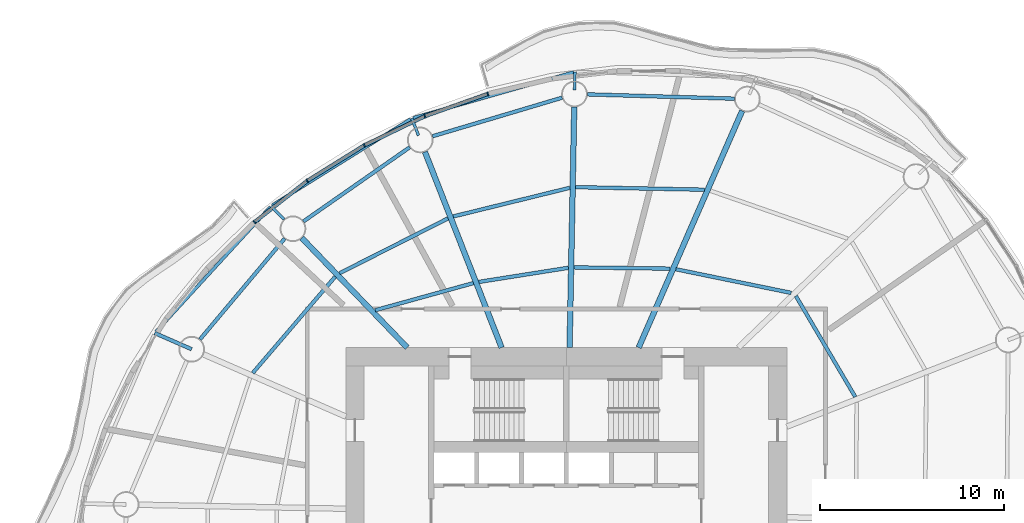
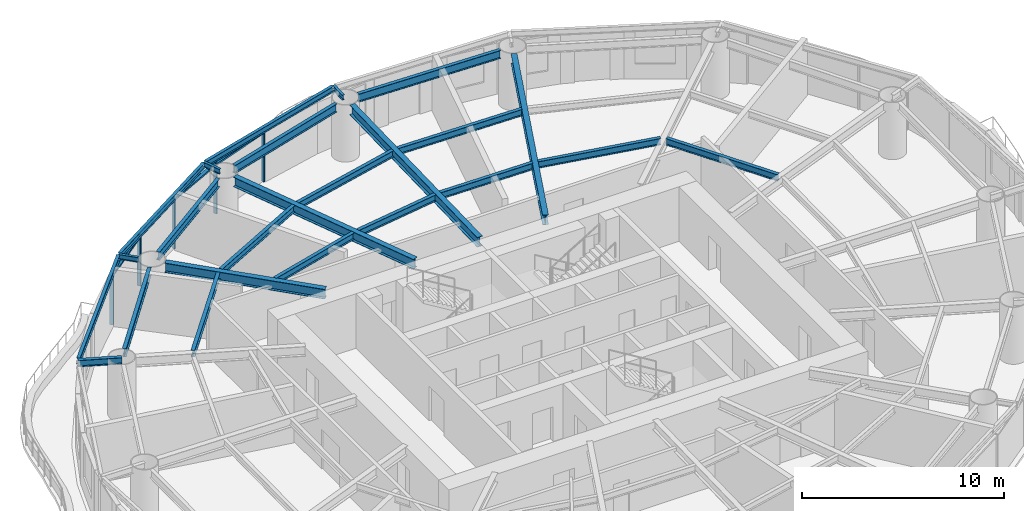
# One storey, part 5 of 14: 24 beams, 9 members, 4 elements without a shape of their own.
"""IFC4 building model written with IfcOpenShell, lengths in metres."""

from ifc_helpers import new_model, si_unit, direction, frame, origin, origin_2d, place, context, subcontext, project, spatial, rectangle, i_section, extrude, material, material_profile, profile_set, type_object, element, aggregate, save


model = new_model("IFC4")

# Units and contexts
model_context = context("Model", 3, precision=1e-05, world=origin(), true_north=direction((0.0, 1.0)))
body_context = subcontext(model_context, "Body", "Model", "MODEL_VIEW")
ifc_project = project(units=[si_unit("LENGTHUNIT", "METRE"), si_unit("AREAUNIT", "SQUARE_METRE"), si_unit("VOLUMEUNIT", "CUBIC_METRE"), si_unit("PLANEANGLEUNIT", "RADIAN"), si_unit("MASSUNIT", "GRAM", prefix="KILO")], contexts=[model_context])

# Site, building, storey
site_placement = place(None, origin())
site = spatial("IfcSite", under=ifc_project, at=site_placement, CompositionType="ELEMENT")
building_placement = place(site_placement, origin())
building = spatial("IfcBuilding", under=site, at=building_placement, Name="Vermilion Reach Broadcast Tower", CompositionType="ELEMENT")
storey_placement = place(building_placement, frame((0.0, 0.0, 150.60009765625)))
storey = spatial("IfcBuildingStorey", under=building, at=storey_placement, Name="L35", CompositionType="ELEMENT", Elevation=150.60009765625)

# Beams
ifc_material_1 = material(Name="Steel S355J2", Category="steel")
ifc_material_profile_1 = material_profile(ifc_material_1, i_section(OverallWidth=0.175048828125, OverallDepth=0.35009765625, WebThickness=0.007080078125, FlangeThickness=0.010986328125, at=origin_2d()), Name="S355J2 HN 350x175x7x11")
ifc_profile_set_1 = profile_set([ifc_material_profile_1], Name="Steel S355J2")
beam_type_1 = type_object("IfcBeamType", Name="EB3 HN 350x175x7x11", PredefinedType="BEAM", material=ifc_profile_set_1)
beam_1_placement = place(storey_placement, frame((-5.6103515625, 23.985107421875, 3.27490234375), z_axis=(-0.961566566412, -0.274571918373, 0.0), x_axis=(0.274571918373, -0.961566566412, 0.0)))
element("IfcBeam", 1, at=beam_1_placement, inside=storey, type_object=beam_type_1, Name="Edge beam EB3-03", PredefinedType="BEAM", context=body_context, shape_type="SweptSolid", body=[
    extrude(i_section(OverallWidth=0.175048828125, OverallDepth=0.35009765625, WebThickness=0.007080078125, FlangeThickness=0.010986328125, at=origin_2d()), origin(), (0.0, 0.0, 1.0), 9.07666015625),
])
beam_2_placement = place(storey_placement, frame((-14.475341796875, 21.431884765625, 3.27490234375), z_axis=(-0.848721358221, -0.528840293566, 0.0), x_axis=(0.528840293566, -0.848721358221, 0.0)))
element("IfcBeam", 2, at=beam_2_placement, inside=storey, type_object=beam_type_1, Name="Edge beam EB3-04", PredefinedType="BEAM", context=body_context, shape_type="SweptSolid", body=[
    extrude(i_section(OverallWidth=0.175048828125, OverallDepth=0.35009765625, WebThickness=0.007080078125, FlangeThickness=0.010986328125, at=origin_2d()), origin(), (0.0, 0.0, 1.0), 8.867919921875),
])
beam_3_placement = place(storey_placement, frame((-22.11767578125, 16.646240234375, 3.27490234375), z_axis=(-0.675544210336, -0.737319482912, 0.0), x_axis=(0.737319482912, -0.675544210336, 0.0)))
element("IfcBeam", 3, at=beam_3_placement, inside=storey, type_object=beam_type_1, Name="Edge beam EB3-05", PredefinedType="BEAM", context=body_context, shape_type="SweptSolid", body=[
    extrude(i_section(OverallWidth=0.175048828125, OverallDepth=0.35009765625, WebThickness=0.007080078125, FlangeThickness=0.010986328125, at=origin_2d()), origin(), (0.0, 0.0, 1.0), 9.192626953125),
])
ifc_material_2 = material(Name="Steel S355J2", Category="steel")
ifc_material_profile_2 = material_profile(ifc_material_2, i_section(OverallWidth=0.300048828125, OverallDepth=0.587890625, WebThickness=0.011962890625, FlangeThickness=0.02001953125, at=origin_2d()), Name="S355J2 HM 588x300x12x20")
ifc_profile_set_2 = profile_set([ifc_material_profile_2], Name="Steel S355J2")
beam_type_2 = type_object("IfcBeamType", Name="G3 HM 588x300x12x20", PredefinedType="BEAM", material=ifc_profile_set_2)
beam_4_placement = place(storey_placement, frame((-2.066162109375, 9.0, 3.156005859375), z_axis=(0.400519113205, 0.916288404356, 0.0), x_axis=(-0.916288404356, 0.400519113205, 0.0)))
element("IfcBeam", 4, at=beam_4_placement, inside=storey, type_object=beam_type_2, Name="Girder G3-02", PredefinedType="BEAM", context=body_context, shape_type="SweptSolid", body=[
    extrude(i_section(OverallWidth=0.300048828125, OverallDepth=0.587890625, WebThickness=0.011962890625, FlangeThickness=0.02001953125, at=origin_2d()), origin(), (0.0, 0.0, 1.0), 14.0595703125),
])
beam_5_placement = place(storey_placement, frame((-5.82568359375, 9.0, 3.156005859375), z_axis=(0.019378372481, 0.99981222171, 0.0), x_axis=(-0.99981222171, 0.019378372481, 0.0)))
element("IfcBeam", 5, at=beam_5_placement, inside=storey, type_object=beam_type_2, Name="Girder G3-03", PredefinedType="BEAM", context=body_context, shape_type="SweptSolid", body=[
    extrude(i_section(OverallWidth=0.300048828125, OverallDepth=0.587890625, WebThickness=0.011962890625, FlangeThickness=0.02001953125, at=origin_2d()), origin(), (0.0, 0.0, 1.0), 13.1025390625),
])
beam_6_placement = place(storey_placement, frame((-9.525146484375, 9.0, 3.156005859375), z_axis=(-0.364715649973, 0.931118947646, 0.0), x_axis=(-0.931118947646, -0.364715649973, 0.0)))
element("IfcBeam", 6, at=beam_6_placement, inside=storey, type_object=beam_type_2, Name="Girder G3-04", PredefinedType="BEAM", context=body_context, shape_type="SweptSolid", body=[
    extrude(i_section(OverallWidth=0.300048828125, OverallDepth=0.587890625, WebThickness=0.011962890625, FlangeThickness=0.02001953125, at=origin_2d()), origin(), (0.0, 0.0, 1.0), 11.436767578125),
])
beam_7_placement = place(storey_placement, frame((-14.657958984375, 9.0, 3.156005859375), z_axis=(-0.693282657492, 0.72066577331, 0.0), x_axis=(-0.72066577331, -0.693282657492, 0.0)))
element("IfcBeam", 7, at=beam_7_placement, inside=storey, type_object=beam_type_2, Name="Girder G3-05", PredefinedType="BEAM", context=body_context, shape_type="SweptSolid", body=[
    extrude(i_section(OverallWidth=0.300048828125, OverallDepth=0.587890625, WebThickness=0.011962890625, FlangeThickness=0.02001953125, at=origin_2d()), origin(), (0.0, 0.0, 1.0), 8.273681640625),
])
ifc_material_3 = material(Name="Steel S355J2", Category="steel")
ifc_material_profile_3 = material_profile(ifc_material_3, i_section(OverallWidth=0.199951171875, OverallDepth=0.39990234375, WebThickness=0.008056640625, FlangeThickness=0.012939453125, at=origin_2d()), Name="S355J2 HN 400x200x8x13")
ifc_profile_set_3 = profile_set([ifc_material_profile_3], Name="Steel S355J2")
beam_type_3 = type_object("IfcBeamType", Name="GC3 HN 400x200x8x13", PredefinedType="BEAM", material=ifc_profile_set_3)
beam_8_placement = place(storey_placement, frame((-26.38818359375, 8.91162109375, 3.25), z_axis=(-0.916290060208, 0.400515325006, 0.0), x_axis=(-0.400515325006, -0.916290060208, 0.0)))
element("IfcBeam", 8, at=beam_8_placement, inside=storey, type_object=beam_type_3, Name="Cantilever girder GC3-06", PredefinedType="BEAM", context=body_context, shape_type="SweptSolid", body=[
    extrude(i_section(OverallWidth=0.199951171875, OverallDepth=0.39990234375, WebThickness=0.008056640625, FlangeThickness=0.012939453125, at=origin_2d()), origin(), (0.0, 0.0, 1.0), 2.1943359375),
])
ifc_material_4 = material(Name="Steel S355J2", Category="steel")
ifc_material_profile_4 = material_profile(ifc_material_4, i_section(OverallWidth=0.14990234375, OverallDepth=0.300048828125, WebThickness=0.006591796875, FlangeThickness=0.009033203125, at=origin_2d()), Name="S355J2 HN 300x150x6.5x9")
ifc_profile_set_4 = profile_set([ifc_material_profile_4], Name="Steel S355J2")
beam_type_4 = type_object("IfcBeamType", Name="GS3 HN 300x150x6.5x9", PredefinedType="BEAM", material=ifc_profile_set_4)
for number, where, z_axis, x_axis, name in (
    (9, (-5.55419921875, 23.0068359375, 3.2998046875), (0.019288230334, 0.999813964781, 0.0), (-0.999813964781, 0.019288230334, 0.0), "Cantilever stub GS3-03"),
    (10, (-14.0458984375, 20.541015625, 3.2998046875), (-0.364730702407, 0.931113051526, 0.0), (-0.931113051526, -0.364730702407, 0.0), "Cantilever stub GS3-04"),
):
    element("IfcBeam", number, at=place(storey_placement, frame(where, z_axis=z_axis, x_axis=x_axis)), inside=storey, type_object=beam_type_4, Name=name, PredefinedType="BEAM", context=body_context, shape_type="SweptSolid", body=[
        extrude(i_section(OverallWidth=0.14990234375, OverallDepth=0.300048828125, WebThickness=0.006591796875, FlangeThickness=0.009033203125, at=origin_2d()), origin(), (0.0, 0.0, 1.0), 1.0),
    ])
beam_9_placement = place(storey_placement, frame((-21.364501953125, 15.9716796875, 3.2998046875), z_axis=(-0.693359122532, 0.720592205899, 0.0), x_axis=(-0.720592205899, -0.693359122532, 0.0)))
element("IfcBeam", 11, at=beam_9_placement, inside=storey, type_object=beam_type_4, Name="Cantilever stub GS3-05", PredefinedType="BEAM", context=body_context, shape_type="SweptSolid", body=[
    extrude(i_section(OverallWidth=0.14990234375, OverallDepth=0.300048828125, WebThickness=0.006591796875, FlangeThickness=0.009033203125, at=origin_2d()), origin(), (0.0, 0.0, 1.0), 1.012939453125),
])
ifc_material_5 = material(Name="Steel S355J2", Category="steel")
ifc_material_profile_5 = material_profile(ifc_material_5, i_section(OverallWidth=0.199951171875, OverallDepth=0.5, WebThickness=0.010009765625, FlangeThickness=0.01611328125, at=origin_2d()), Name="S355J2 HN 500x200x10x16")
ifc_profile_set_5 = profile_set([ifc_material_profile_5], Name="Steel S355J2")
beam_type_5 = type_object("IfcBeamType", Name="RB3 HN 500x200x10x16", PredefinedType="BEAM", material=ifc_profile_set_5)
beam_10_placement = place(storey_placement, frame((3.1455078125, 22.544677734375, 3.199951171875), z_axis=(-0.999569781146, 0.029330063427, 0.0), x_axis=(-0.029330063427, -0.999569781146, 0.0)))
element("IfcBeam", 12, at=beam_10_placement, inside=storey, type_object=beam_type_5, Name="Ring beam RB3-02", PredefinedType="BEAM", context=body_context, shape_type="SweptSolid", body=[
    extrude(i_section(OverallWidth=0.199951171875, OverallDepth=0.5, WebThickness=0.010009765625, FlangeThickness=0.01611328125, at=origin_2d()), origin(), (0.0, 0.0, 1.0), 8.007568359375),
])
beam_11_placement = place(storey_placement, frame((-6.229248046875, 22.60009765625, 3.199951171875), z_axis=(-0.958416970322, -0.285371531516, 0.0), x_axis=(0.285371531516, -0.958416970322, 0.0)))
element("IfcBeam", 13, at=beam_11_placement, inside=storey, type_object=beam_type_5, Name="Ring beam RB3-03", PredefinedType="BEAM", context=body_context, shape_type="SweptSolid", body=[
    extrude(i_section(OverallWidth=0.199951171875, OverallDepth=0.5, WebThickness=0.010009765625, FlangeThickness=0.01611328125, at=origin_2d()), origin(), (0.0, 0.0, 1.0), 7.357421875),
])
beam_12_placement = place(storey_placement, frame((-14.525634765625, 19.900146484375, 3.199951171875), z_axis=(-0.820111453349, -0.572203813415, 0.0), x_axis=(0.572203813415, -0.820111453349, 0.0)))
element("IfcBeam", 14, at=beam_12_placement, inside=storey, type_object=beam_type_5, Name="Ring beam RB3-04", PredefinedType="BEAM", context=body_context, shape_type="SweptSolid", body=[
    extrude(i_section(OverallWidth=0.199951171875, OverallDepth=0.5, WebThickness=0.010009765625, FlangeThickness=0.01611328125, at=origin_2d()), origin(), (0.0, 0.0, 1.0), 7.04736328125),
])
beam_13_placement = place(storey_placement, frame((-21.32958984375, 14.931396484375, 3.199951171875), z_axis=(-0.643350337931, -0.765571905626, 0.0), x_axis=(0.765571905626, -0.643350337931, 0.0)))
element("IfcBeam", 15, at=beam_13_placement, inside=storey, type_object=beam_type_5, Name="Ring beam RB3-05", PredefinedType="BEAM", context=body_context, shape_type="SweptSolid", body=[
    extrude(i_section(OverallWidth=0.199951171875, OverallDepth=0.5, WebThickness=0.010009765625, FlangeThickness=0.01611328125, at=origin_2d()), origin(), (0.0, 0.0, 1.0), 7.1630859375),
])
ifc_material_6 = material(Name="Steel S355J2", Category="steel")
ifc_material_profile_6 = material_profile(ifc_material_6, i_section(OverallWidth=0.199951171875, OverallDepth=0.39990234375, WebThickness=0.008056640625, FlangeThickness=0.012939453125, at=origin_2d()), Name="S355J2 HN 400x200x8x13")
ifc_profile_set_6 = profile_set([ifc_material_profile_6], Name="Steel S355J2")
beam_type_6 = type_object("IfcBeamType", Name="SB3 HN 400x200x8x13", PredefinedType="BEAM", material=ifc_profile_set_6)
beam_14_placement = place(storey_placement, frame((6.232666015625, 11.975830078125, 3.25), z_axis=(-0.97956765607, 0.201114910391, 0.0), x_axis=(-0.201114910391, -0.97956765607, 0.0)))
element("IfcBeam", 16, at=beam_14_placement, inside=storey, type_object=beam_type_6, Name="Secondary beam SB3-01-1", PredefinedType="BEAM", context=body_context, shape_type="SweptSolid", body=[
    extrude(i_section(OverallWidth=0.199951171875, OverallDepth=0.39990234375, WebThickness=0.008056640625, FlangeThickness=0.012939453125, at=origin_2d()), origin(), (0.0, 0.0, 1.0), 6.40234375),
])
beam_15_placement = place(storey_placement, frame((-0.351806640625, 13.29638671875, 3.25), z_axis=(-0.999914891843, 0.013046419838, 0.0), x_axis=(-0.013046419838, -0.999914891843, 0.0)))
element("IfcBeam", 17, at=beam_15_placement, inside=storey, type_object=beam_type_6, Name="Secondary beam SB3-02-1", PredefinedType="BEAM", context=body_context, shape_type="SweptSolid", body=[
    extrude(i_section(OverallWidth=0.199951171875, OverallDepth=0.39990234375, WebThickness=0.008056640625, FlangeThickness=0.012939453125, at=origin_2d()), origin(), (0.0, 0.0, 1.0), 5.23974609375),
])
beam_16_placement = place(storey_placement, frame((1.525634765625, 17.591552734375, 3.25), z_axis=(-0.999804929321, 0.019751033045, 0.0), x_axis=(-0.019751033045, -0.999804929321, 0.0)))
element("IfcBeam", 18, at=beam_16_placement, inside=storey, type_object=beam_type_6, Name="Secondary beam SB3-02-2", PredefinedType="BEAM", context=body_context, shape_type="SweptSolid", body=[
    extrude(i_section(OverallWidth=0.199951171875, OverallDepth=0.39990234375, WebThickness=0.008056640625, FlangeThickness=0.012939453125, at=origin_2d()), origin(), (0.0, 0.0, 1.0), 7.033447265625),
])
beam_17_placement = place(storey_placement, frame((-5.8916015625, 13.343017578125, 3.25), z_axis=(-0.987756142208, -0.15600578044, 0.0), x_axis=(0.15600578044, -0.987756142208, 0.0)))
element("IfcBeam", 19, at=beam_17_placement, inside=storey, type_object=beam_type_6, Name="Secondary beam SB3-03-1", PredefinedType="BEAM", context=body_context, shape_type="SweptSolid", body=[
    extrude(i_section(OverallWidth=0.199951171875, OverallDepth=0.39990234375, WebThickness=0.008056640625, FlangeThickness=0.012939453125, at=origin_2d()), origin(), (0.0, 0.0, 1.0), 4.9326171875),
])
beam_18_placement = place(storey_placement, frame((-5.80712890625, 17.6962890625, 3.25), z_axis=(-0.971111691931, -0.238625400566, 0.0), x_axis=(0.238625400566, -0.971111691931, 0.0)))
element("IfcBeam", 20, at=beam_18_placement, inside=storey, type_object=beam_type_6, Name="Secondary beam SB3-03-2", PredefinedType="BEAM", context=body_context, shape_type="SweptSolid", body=[
    extrude(i_section(OverallWidth=0.199951171875, OverallDepth=0.39990234375, WebThickness=0.008056640625, FlangeThickness=0.012939453125, at=origin_2d()), origin(), (0.0, 0.0, 1.0), 6.540771484375),
])
beam_19_placement = place(storey_placement, frame((-11.06103515625, 12.509521484375, 3.25), z_axis=(-0.963889790258, -0.266301468708, 0.0), x_axis=(0.266301468708, -0.963889790258, 0.0)))
element("IfcBeam", 21, at=beam_19_placement, inside=storey, type_object=beam_type_6, Name="Secondary beam SB3-04-1", PredefinedType="BEAM", context=body_context, shape_type="SweptSolid", body=[
    extrude(i_section(OverallWidth=0.199951171875, OverallDepth=0.39990234375, WebThickness=0.008056640625, FlangeThickness=0.012939453125, at=origin_2d()), origin(), (0.0, 0.0, 1.0), 5.544677734375),
])
beam_20_placement = place(storey_placement, frame((-12.4404296875, 16.03125, 3.25), z_axis=(-0.892320561657, -0.451402276516, 0.0), x_axis=(0.451402276516, -0.892320561657, 0.0)))
element("IfcBeam", 22, at=beam_20_placement, inside=storey, type_object=beam_type_6, Name="Secondary beam SB3-04-2", PredefinedType="BEAM", context=body_context, shape_type="SweptSolid", body=[
    extrude(i_section(OverallWidth=0.199951171875, OverallDepth=0.39990234375, WebThickness=0.008056640625, FlangeThickness=0.012939453125, at=origin_2d()), origin(), (0.0, 0.0, 1.0), 6.613525390625),
])
beam_21_placement = place(storey_placement, frame((-18.579833984375, 12.860595703125, 3.25), z_axis=(-0.650167134505, -0.759791219487, 0.0), x_axis=(0.759791219487, -0.650167134505, 0.0)))
element("IfcBeam", 23, at=beam_21_placement, inside=storey, type_object=beam_type_6, Name="Secondary beam SB3-05-2", PredefinedType="BEAM", context=body_context, shape_type="SweptSolid", body=[
    extrude(i_section(OverallWidth=0.199951171875, OverallDepth=0.39990234375, WebThickness=0.008056640625, FlangeThickness=0.012939453125, at=origin_2d()), origin(), (0.0, 0.0, 1.0), 6.89501953125),
])
beam_22_placement = place(storey_placement, frame((9.71923828125, 6.318115234375, 3.25), z_axis=(-0.507249643612, 0.861799163991, 0.0), x_axis=(-0.861799163991, -0.507249643612, 0.0)))
element("IfcBeam", 24, at=beam_22_placement, inside=storey, type_object=beam_type_6, Name="Secondary beam SB3-16-1", PredefinedType="BEAM", context=body_context, shape_type="SweptSolid", body=[
    extrude(i_section(OverallWidth=0.199951171875, OverallDepth=0.39990234375, WebThickness=0.008056640625, FlangeThickness=0.012939453125, at=origin_2d()), origin(), (0.0, 0.0, 1.0), 6.3681640625),
])

# Curtain wall, member
ifc_material_7 = material(Name="Low-e laminated clear glass in aluminium frame", Category="aluminium")
curtain_wall_type = type_object("IfcCurtainWallType", Name="Slot curtain wall", PredefinedType="NOTDEFINED", material=ifc_material_7)
placement = place(storey_placement, origin())
curtain_wall_1 = element("IfcCurtainWall", 25, at=placement, inside=storey, type_object=curtain_wall_type, Name="Slot curtain wall L35 10", PredefinedType="NOTDEFINED")
ifc_material_8 = material(Name="Anodised aluminium", Category="aluminium")
ifc_material_profile_7 = material_profile(ifc_material_8, rectangle(XDim=0.199951171875, YDim=0.080078125, at=origin_2d()), Name="Slot mullion 80 x 200")
ifc_profile_set_7 = profile_set([ifc_material_profile_7], Name="Anodised aluminium")
member_type_1 = type_object("IfcMemberType", Name="Slot mullion 80 x 200", PredefinedType="MULLION", material=ifc_profile_set_7)
member_1_placement = place(storey_placement, frame((-10.276123046875, 22.80712890625, 0.0), z_axis=(0.0, 0.0, 1.0), x_axis=(0.282324732449, -0.959318896639, 0.0)))
member_1 = element("IfcMember", 26, at=member_1_placement, type_object=member_type_1, Name="Slot mullion L35 10", PredefinedType="MULLION", context=body_context, shape_type="SweptSolid", body=[
    extrude(rectangle(XDim=0.199951171875, YDim=0.080078125, at=origin_2d()), origin(), (0.0, 0.0, 1.0), 3.0498046875),
])

curtain_wall_2 = element("IfcCurtainWall", 27, at=placement, inside=storey, type_object=curtain_wall_type, Name="Slot curtain wall L35 11", PredefinedType="NOTDEFINED")
member_2_placement = place(storey_placement, frame((-13.70263671875, 21.5908203125, 0.0), z_axis=(0.0, 0.0, 1.0), x_axis=(0.384844275011, -0.92298151877, 0.0)))
member_2 = element("IfcMember", 28, at=member_2_placement, type_object=member_type_1, Name="Slot mullion L35 11", PredefinedType="MULLION", context=body_context, shape_type="SweptSolid", body=[
    extrude(rectangle(XDim=0.199951171875, YDim=0.080078125, at=origin_2d()), origin(), (0.0, 0.0, 1.0), 3.0498046875),
])

curtain_wall_3 = element("IfcCurtainWall", 29, at=placement, inside=storey, type_object=curtain_wall_type, Name="Slot curtain wall L35 12", PredefinedType="NOTDEFINED")
member_3_placement = place(storey_placement, frame((-16.9970703125, 20.00341796875, 0.0), z_axis=(0.0, 0.0, 1.0), x_axis=(0.481753807026, -0.876306606968, 0.0)))
member_3 = element("IfcMember", 30, at=member_3_placement, type_object=member_type_1, Name="Slot mullion L35 12", PredefinedType="MULLION", context=body_context, shape_type="SweptSolid", body=[
    extrude(rectangle(XDim=0.199951171875, YDim=0.080078125, at=origin_2d()), origin(), (0.0, 0.0, 1.0), 3.0498046875),
])

# Curtain wall, members
curtain_wall_4 = element("IfcCurtainWall", 31, at=placement, inside=storey, type_object=curtain_wall_type, Name="Slot curtain wall L35 13", PredefinedType="NOTDEFINED")
member_4_placement = place(storey_placement, frame((-20.1025390625, 18.072509765625, 0.0), z_axis=(0.0, 0.0, 1.0), x_axis=(0.573089274682, -0.819492942767, 0.0)))
member_4 = element("IfcMember", 32, at=member_4_placement, type_object=member_type_1, Name="Slot mullion L35 13", PredefinedType="MULLION", context=body_context, shape_type="SweptSolid", body=[
    extrude(rectangle(XDim=0.199951171875, YDim=0.080078125, at=origin_2d()), origin(), (0.0, 0.0, 1.0), 3.0498046875),
])
member_5_placement = place(storey_placement, frame((-22.96533203125, 15.8310546875, 0.0), z_axis=(0.0, 0.0, 1.0), x_axis=(0.658702528091, -0.75240346855, 0.0)))
member_5 = element("IfcMember", 33, at=member_5_placement, type_object=member_type_1, Name="Slot mullion L35 14", PredefinedType="MULLION", context=body_context, shape_type="SweptSolid", body=[
    extrude(rectangle(XDim=0.199951171875, YDim=0.080078125, at=origin_2d()), origin(), (0.0, 0.0, 1.0), 3.0498046875),
])

# Member
ifc_material_9 = material(Name="Anodised aluminium", Category="aluminium")
ifc_material_profile_8 = material_profile(ifc_material_9, rectangle(XDim=0.199951171875, YDim=0.10009765625, at=origin_2d()), Name="Slot transom 200 x 100")
ifc_profile_set_8 = profile_set([ifc_material_profile_8], Name="Anodised aluminium")
member_type_2 = type_object("IfcMemberType", Name="Slot transom 200 x 100", PredefinedType="USERDEFINED", material=ifc_profile_set_8)
member_6_placement = place(storey_placement, frame((-10.313720703125, 22.793701171875, 3.0), z_axis=(-0.942395633191, -0.33450032966, 0.0), x_axis=(0.33450032966, -0.942395633191, 0.0)))
member_6 = element("IfcMember", 34, at=member_6_placement, type_object=member_type_2, Name="Slot transom L35 10.1", ObjectType="TRANSOM", PredefinedType="USERDEFINED", context=body_context, shape_type="SweptSolid", body=[
    extrude(rectangle(XDim=0.199951171875, YDim=0.10009765625, at=origin_2d()), origin(), (0.0, 0.0, 1.0), 3.555908203125),
])

aggregate(curtain_wall_1, [member_1, member_6])

member_7_placement = place(storey_placement, frame((-13.738525390625, 21.573486328125, 3.0), z_axis=(-0.900870214958, -0.43408853452, 0.0), x_axis=(0.43408853452, -0.900870214958, 0.0)))
member_7 = element("IfcMember", 35, at=member_7_placement, type_object=member_type_2, Name="Slot transom L35 11.1", ObjectType="TRANSOM", PredefinedType="USERDEFINED", context=body_context, shape_type="SweptSolid", body=[
    extrude(rectangle(XDim=0.199951171875, YDim=0.10009765625, at=origin_2d()), origin(), (0.0, 0.0, 1.0), 3.576904296875),
])

aggregate(curtain_wall_2, [member_2, member_7])

member_8_placement = place(storey_placement, frame((-17.031005859375, 19.982421875, 3.0), z_axis=(-0.849200124215, -0.528071159062, 0.0), x_axis=(0.528071159062, -0.849200124215, 0.0)))
member_8 = element("IfcMember", 36, at=member_8_placement, type_object=member_type_2, Name="Slot transom L35 12.1", ObjectType="TRANSOM", PredefinedType="USERDEFINED", context=body_context, shape_type="SweptSolid", body=[
    extrude(rectangle(XDim=0.199951171875, YDim=0.10009765625, at=origin_2d()), origin(), (0.0, 0.0, 1.0), 3.576904296875),
])

aggregate(curtain_wall_3, [member_3, member_8])

member_9_placement = place(storey_placement, frame((-20.134033203125, 18.0478515625, 3.0), z_axis=(-0.787370241818, -0.61648041518, 0.0), x_axis=(0.61648041518, -0.787370241818, 0.0)))
member_9 = element("IfcMember", 37, at=member_9_placement, type_object=member_type_2, Name="Slot transom L35 13.1", ObjectType="TRANSOM", PredefinedType="USERDEFINED", context=body_context, shape_type="SweptSolid", body=[
    extrude(rectangle(XDim=0.199951171875, YDim=0.10009765625, at=origin_2d()), origin(), (0.0, 0.0, 1.0), 3.555908203125),
])

aggregate(curtain_wall_4, [member_4, member_5, member_9])

save(model, "model.ifc")
